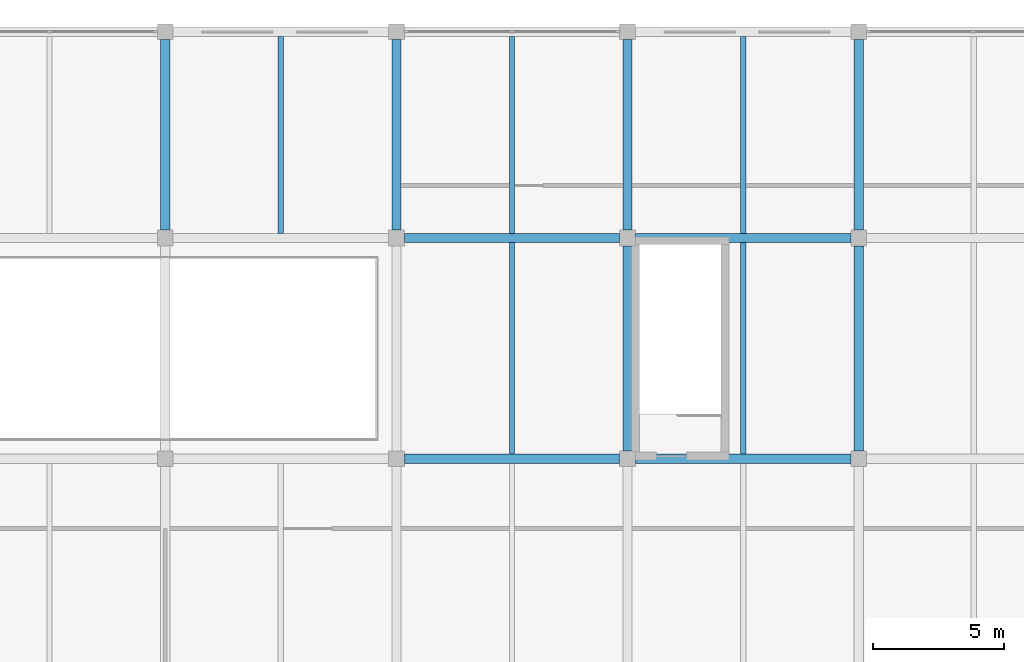
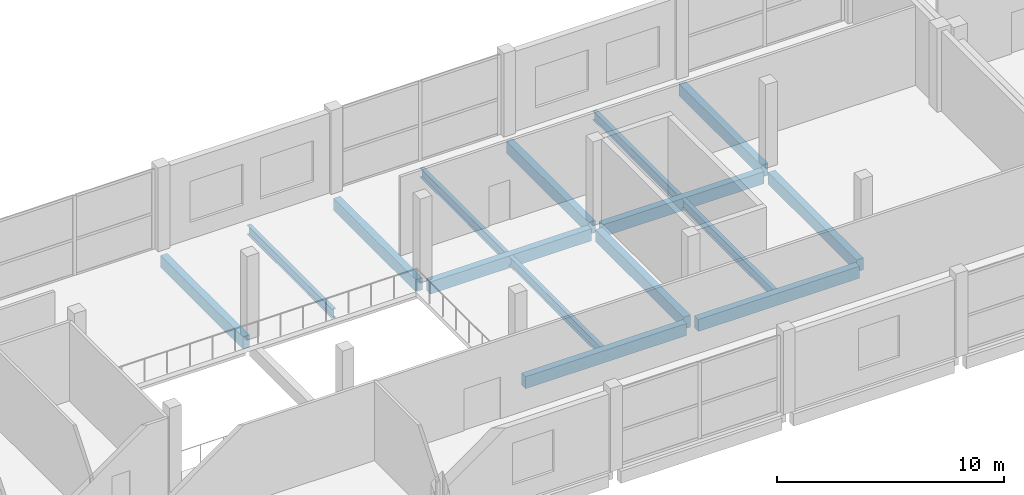
# One storey, part 6 of 18: 15 beams.
"""IFC4 building model written with IfcOpenShell, lengths in metres."""

from ifc_helpers import new_model, si_unit, direction, frame, origin, origin_2d, place, context, subcontext, project, spatial, rectangle, i_section, extrude, material, material_profile, profile_set, type_object, element, save


model = new_model("IFC4")

# Units and contexts
model_context = context("Model", 3, precision=1e-05, world=origin(), true_north=direction((0.0, 1.0)))
body_context = subcontext(model_context, "Body", "Model", "MODEL_VIEW")
ifc_project = project(units=[si_unit("LENGTHUNIT", "METRE"), si_unit("AREAUNIT", "SQUARE_METRE"), si_unit("VOLUMEUNIT", "CUBIC_METRE"), si_unit("PLANEANGLEUNIT", "RADIAN"), si_unit("MASSUNIT", "GRAM", prefix="KILO")], contexts=[model_context])

# Site, building, storey
site_placement = place(None, origin())
site = spatial("IfcSite", under=ifc_project, at=site_placement, CompositionType="ELEMENT")
building_placement = place(site_placement, origin())
building = spatial("IfcBuilding", under=site, at=building_placement, Name="Brinegate Botanical Conservatory", CompositionType="ELEMENT")
storey_placement = place(building_placement, frame((0.0, 0.0, 14.699951171875)))
storey = spatial("IfcBuildingStorey", under=building, at=storey_placement, Name="L04", CompositionType="ELEMENT", Elevation=14.699951171875)

# Beams
ifc_material_1 = material(Name="Concrete C40/50", Category="concrete")
ifc_material_profile_1 = material_profile(ifc_material_1, rectangle(XDim=0.35009765625, YDim=0.64990234375, at=origin_2d()), Name="RC BM 350x650")
ifc_profile_set_1 = profile_set([ifc_material_profile_1], Name="Concrete C40/50")
beam_type_1 = type_object("IfcBeamType", Name="Beam_BM-V3", PredefinedType="BEAM", material=ifc_profile_set_1)
beam_1_placement = place(storey_placement, frame((95.10009765625, 95.199951171875, -0.56494140625), z_axis=(1.0, 0.0, 0.0), x_axis=(0.0, 1.0, 0.0)))
element("IfcBeam", 1, at=beam_1_placement, inside=storey, type_object=beam_type_1, Name="Beam BM-V3 L04 M:12-13", PredefinedType="BEAM", context=body_context, shape_type="SweptSolid", body=[
    extrude(rectangle(XDim=0.35009765625, YDim=0.64990234375, at=origin_2d()), origin(), (0.0, 0.0, 1.0), 8.199951171875),
])
beam_2_placement = place(storey_placement, frame((103.89990234375, 95.199951171875, -0.56494140625), z_axis=(1.0, 0.0, 0.0), x_axis=(0.0, 1.0, 0.0)))
element("IfcBeam", 2, at=beam_2_placement, inside=storey, type_object=beam_type_1, Name="Beam BM-V3 L04 M:13-14", PredefinedType="BEAM", context=body_context, shape_type="SweptSolid", body=[
    extrude(rectangle(XDim=0.35009765625, YDim=0.64990234375, at=origin_2d()), origin(), (0.0, 0.0, 1.0), 8.2001953125),
])
beam_3_placement = place(storey_placement, frame((95.10009765625, 103.60009765625, -0.56494140625), z_axis=(1.0, 0.0, 0.0), x_axis=(0.0, 1.0, 0.0)))
element("IfcBeam", 3, at=beam_3_placement, inside=storey, type_object=beam_type_1, Name="Beam BM-V3 L04 N:12-13", PredefinedType="BEAM", context=body_context, shape_type="SweptSolid", body=[
    extrude(rectangle(XDim=0.35009765625, YDim=0.64990234375, at=origin_2d()), origin(), (0.0, 0.0, 1.0), 8.199951171875),
])
beam_4_placement = place(storey_placement, frame((103.89990234375, 103.60009765625, -0.56494140625), z_axis=(1.0, 0.0, 0.0), x_axis=(0.0, 1.0, 0.0)))
element("IfcBeam", 4, at=beam_4_placement, inside=storey, type_object=beam_type_1, Name="Beam BM-V3 L04 N:13-14", PredefinedType="BEAM", context=body_context, shape_type="SweptSolid", body=[
    extrude(rectangle(XDim=0.35009765625, YDim=0.64990234375, at=origin_2d()), origin(), (0.0, 0.0, 1.0), 8.2001953125),
])
for number, where, z_axis, x_axis, name in (
    (5, (86.0, 103.89990234375, -0.56494140625), (0.0, 1.0, 0.0), (-1.0, 0.0, 0.0), "Beam BM-V3 L04 11:N-P"),
    (6, (94.800048828125, 103.89990234375, -0.56494140625), (0.0, 1.0, 0.0), (-1.0, 0.0, 0.0), "Beam BM-V3 L04 12:N-P"),
):
    element("IfcBeam", number, at=place(storey_placement, frame(where, z_axis=z_axis, x_axis=x_axis)), inside=storey, type_object=beam_type_1, Name=name, PredefinedType="BEAM", context=body_context, shape_type="SweptSolid", body=[
        extrude(rectangle(XDim=0.35009765625, YDim=0.64990234375, at=origin_2d()), origin(), (0.0, 0.0, 1.0), 7.25),
    ])
beam_5_placement = place(storey_placement, frame((103.60009765625, 95.5, -0.56494140625), z_axis=(0.0, 1.0, 0.0), x_axis=(-1.0, 0.0, 0.0)))
element("IfcBeam", 7, at=beam_5_placement, inside=storey, type_object=beam_type_1, Name="Beam BM-V3 L04 13:M-N", PredefinedType="BEAM", context=body_context, shape_type="SweptSolid", body=[
    extrude(rectangle(XDim=0.35009765625, YDim=0.64990234375, at=origin_2d()), origin(), (0.0, 0.0, 1.0), 7.800048828125),
])
beam_6_placement = place(storey_placement, frame((103.60009765625, 103.89990234375, -0.56494140625), z_axis=(0.0, 1.0, 0.0), x_axis=(-1.0, 0.0, 0.0)))
element("IfcBeam", 8, at=beam_6_placement, inside=storey, type_object=beam_type_1, Name="Beam BM-V3 L04 13:N-P", PredefinedType="BEAM", context=body_context, shape_type="SweptSolid", body=[
    extrude(rectangle(XDim=0.35009765625, YDim=0.64990234375, at=origin_2d()), origin(), (0.0, 0.0, 1.0), 7.25),
])
beam_7_placement = place(storey_placement, frame((112.39990234375, 95.5, -0.56494140625), z_axis=(0.0, 1.0, 0.0), x_axis=(-1.0, 0.0, 0.0)))
element("IfcBeam", 9, at=beam_7_placement, inside=storey, type_object=beam_type_1, Name="Beam BM-V3 L04 14:M-N", PredefinedType="BEAM", context=body_context, shape_type="SweptSolid", body=[
    extrude(rectangle(XDim=0.35009765625, YDim=0.64990234375, at=origin_2d()), origin(), (0.0, 0.0, 1.0), 7.800048828125),
])
beam_8_placement = place(storey_placement, frame((112.39990234375, 103.89990234375, -0.56494140625), z_axis=(0.0, 1.0, 0.0), x_axis=(-1.0, 0.0, 0.0)))
element("IfcBeam", 10, at=beam_8_placement, inside=storey, type_object=beam_type_1, Name="Beam BM-V3 L04 14:N-P", PredefinedType="BEAM", context=body_context, shape_type="SweptSolid", body=[
    extrude(rectangle(XDim=0.35009765625, YDim=0.64990234375, at=origin_2d()), origin(), (0.0, 0.0, 1.0), 7.25),
])
ifc_material_2 = material(Name="Structural steel Q355B / S355", Category="steel")
ifc_material_profile_2 = material_profile(ifc_material_2, i_section(OverallWidth=0.199951171875, OverallDepth=0.5, WebThickness=0.010009765625, FlangeThickness=0.01611328125, at=origin_2d()), Name="HN 500x200x10x16")
ifc_profile_set_2 = profile_set([ifc_material_profile_2], Name="Structural steel Q355B / S355")
beam_type_2 = type_object("IfcBeamType", Name="Beam_JS-S4", PredefinedType="JOIST", material=ifc_profile_set_2)
beam_9_placement = place(storey_placement, frame((90.39990234375, 103.77490234375, -0.489990234375), z_axis=(0.0, 1.0, 0.0), x_axis=(-1.0, 0.0, 0.0)))
element("IfcBeam", 11, at=beam_9_placement, inside=storey, type_object=beam_type_2, Name="Floor joist JS-S4 L04 bay 11.13", PredefinedType="JOIST", context=body_context, shape_type="SweptSolid", body=[
    extrude(i_section(OverallWidth=0.199951171875, OverallDepth=0.5, WebThickness=0.010009765625, FlangeThickness=0.01611328125, at=origin_2d()), origin(), (0.0, 0.0, 1.0), 7.5),
])
beam_10_placement = place(storey_placement, frame((99.199951171875, 95.375, -0.489990234375), z_axis=(0.0, 1.0, 0.0), x_axis=(-1.0, 0.0, 0.0)))
element("IfcBeam", 12, at=beam_10_placement, inside=storey, type_object=beam_type_2, Name="Floor joist JS-S4 L04 bay 12.12", PredefinedType="JOIST", context=body_context, shape_type="SweptSolid", body=[
    extrude(i_section(OverallWidth=0.199951171875, OverallDepth=0.5, WebThickness=0.010009765625, FlangeThickness=0.01611328125, at=origin_2d()), origin(), (0.0, 0.0, 1.0), 8.050048828125),
])
beam_11_placement = place(storey_placement, frame((99.199951171875, 103.77490234375, -0.489990234375), z_axis=(0.0, 1.0, 0.0), x_axis=(-1.0, 0.0, 0.0)))
element("IfcBeam", 13, at=beam_11_placement, inside=storey, type_object=beam_type_2, Name="Floor joist JS-S4 L04 bay 12.13", PredefinedType="JOIST", context=body_context, shape_type="SweptSolid", body=[
    extrude(i_section(OverallWidth=0.199951171875, OverallDepth=0.5, WebThickness=0.010009765625, FlangeThickness=0.01611328125, at=origin_2d()), origin(), (0.0, 0.0, 1.0), 7.5),
])
beam_12_placement = place(storey_placement, frame((108.0, 95.375, -0.489990234375), z_axis=(0.0, 1.0, 0.0), x_axis=(-1.0, 0.0, 0.0)))
element("IfcBeam", 14, at=beam_12_placement, inside=storey, type_object=beam_type_2, Name="Floor joist JS-S4 L04 bay 13.12", PredefinedType="JOIST", context=body_context, shape_type="SweptSolid", body=[
    extrude(i_section(OverallWidth=0.199951171875, OverallDepth=0.5, WebThickness=0.010009765625, FlangeThickness=0.01611328125, at=origin_2d()), origin(), (0.0, 0.0, 1.0), 8.050048828125),
])
beam_13_placement = place(storey_placement, frame((108.0, 103.77490234375, -0.489990234375), z_axis=(0.0, 1.0, 0.0), x_axis=(-1.0, 0.0, 0.0)))
element("IfcBeam", 15, at=beam_13_placement, inside=storey, type_object=beam_type_2, Name="Floor joist JS-S4 L04 bay 13.13", PredefinedType="JOIST", context=body_context, shape_type="SweptSolid", body=[
    extrude(i_section(OverallWidth=0.199951171875, OverallDepth=0.5, WebThickness=0.010009765625, FlangeThickness=0.01611328125, at=origin_2d()), origin(), (0.0, 0.0, 1.0), 7.5),
])

save(model, "model.ifc")
